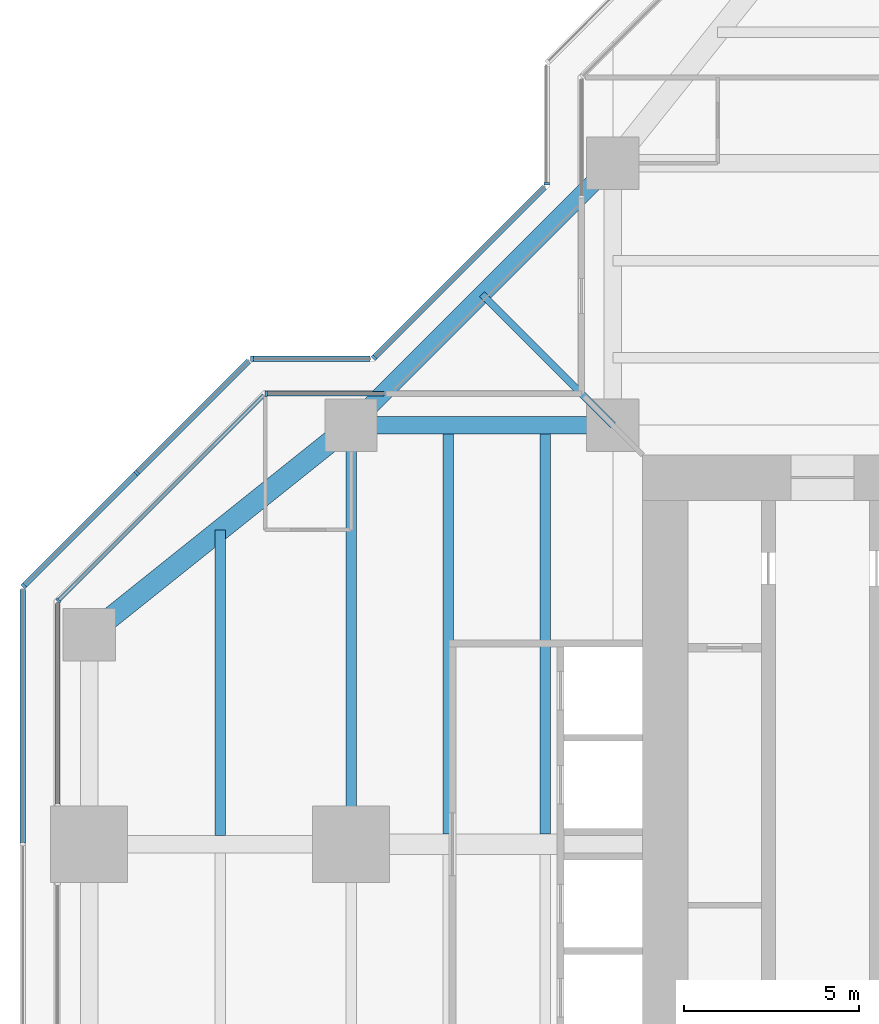
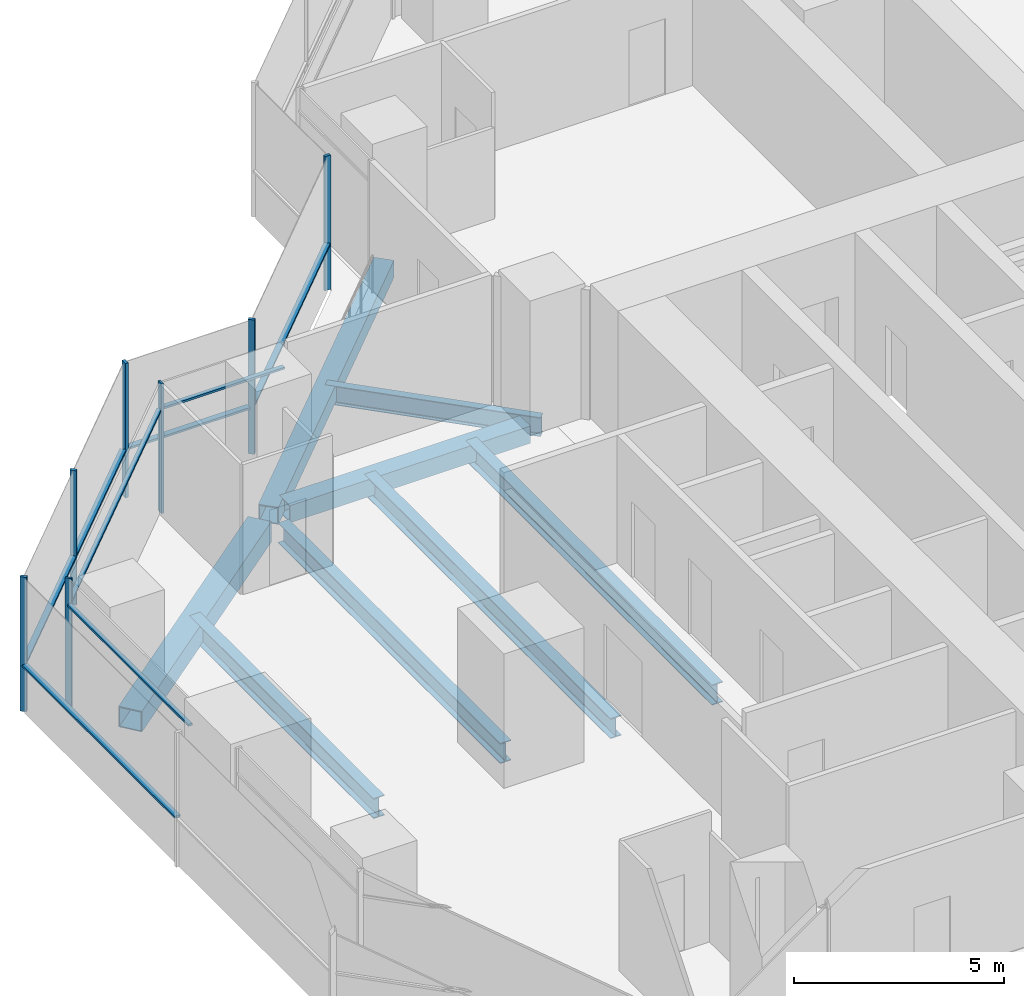
# One storey, part 6 of 17: 15 members, 8 beams, 8 elements without a shape of their own.
"""IFC4 building model written with IfcOpenShell, lengths in metres."""

from ifc_helpers import new_model, si_unit, direction, frame, origin, origin_2d, place, context, subcontext, project, spatial, rectangle, hollow_rectangle, i_section, extrude, material, material_profile, profile_set, type_object, element, aggregate, save


model = new_model("IFC4")

# Units and contexts
model_context = context("Model", 3, precision=1e-05, world=origin(), true_north=direction((0.0, 1.0)))
body_context = subcontext(model_context, "Body", "Model", "MODEL_VIEW")
ifc_project = project(units=[si_unit("LENGTHUNIT", "METRE"), si_unit("AREAUNIT", "SQUARE_METRE"), si_unit("VOLUMEUNIT", "CUBIC_METRE"), si_unit("PLANEANGLEUNIT", "RADIAN"), si_unit("MASSUNIT", "GRAM", prefix="KILO")], contexts=[model_context])

# Site, building, storey
site_placement = place(None, origin())
site = spatial("IfcSite", under=ifc_project, at=site_placement, CompositionType="ELEMENT")
building_placement = place(site_placement, origin())
building = spatial("IfcBuilding", under=site, at=building_placement, Name="Mizan Broadcast Tower", CompositionType="ELEMENT")
storey_placement = place(building_placement, frame((0.0, 0.0, 263.39990234375)))
storey = spatial("IfcBuildingStorey", under=building, at=storey_placement, Name="L62", CompositionType="ELEMENT", Elevation=263.39990234375)

# Beams
ifc_material_1 = material(Name="Steel S355", Category="steel")
ifc_material_profile_1 = material_profile(ifc_material_1, hollow_rectangle(XDim=0.5, YDim=0.5, WallThickness=0.030029296875, at=origin_2d()), Name="BOX 500x500x30")
ifc_profile_set_1 = profile_set([ifc_material_profile_1], Name="Steel S355")
beam_type_1 = type_object("IfcBeamType", Name="EDGE BEAM BOX 500x500x30", PredefinedType="SPANDREL", material=ifc_profile_set_1)
beam_1_placement = place(storey_placement, frame((-12.449951171875, 12.0, -0.3798828125), z_axis=(-1.0, 0.0, 0.0), x_axis=(0.0, -1.0, 0.0)))
element("IfcBeam", 1, at=beam_1_placement, inside=storey, type_object=beam_type_1, Name="Edge beam BOX 500x500x30 L62 west arm", PredefinedType="SPANDREL", context=body_context, shape_type="SweptSolid", body=[
    extrude(hollow_rectangle(XDim=0.5, YDim=0.5, WallThickness=0.030029296875, at=origin_2d()), origin(), (0.0, 0.0, 1.0), 6.60009765625),
])
beam_2_placement = place(storey_placement, frame((-12.0, 19.5, -0.3798828125), z_axis=(-0.707106781187, -0.707106781187, 0.0), x_axis=(0.707106781187, -0.707106781187, 0.0)))
element("IfcBeam", 2, at=beam_2_placement, inside=storey, type_object=beam_type_1, Name="Winter garden edge beam L62 N", PredefinedType="SPANDREL", context=body_context, shape_type="SweptSolid", body=[
    extrude(hollow_rectangle(XDim=0.5, YDim=0.5, WallThickness=0.030029296875, at=origin_2d()), origin(), (0.0, 0.0, 1.0), 10.606689453125),
])
ifc_material_2 = material(Name="Steel S355", Category="steel")
ifc_material_profile_2 = material_profile(ifc_material_2, hollow_rectangle(XDim=0.60009765625, YDim=0.60009765625, WallThickness=0.030029296875, at=origin_2d()), Name="BOX 600x600x30")
ifc_profile_set_2 = profile_set([ifc_material_profile_2], Name="Steel S355")
beam_type_2 = type_object("IfcBeamType", Name="EDGE BEAM BOX 600x600x30", PredefinedType="SPANDREL", material=ifc_profile_set_2)
beam_3_placement = place(storey_placement, frame((-19.949951171875, 11.639892578125, -0.429931640625), z_axis=(-0.780885717636, -0.624673911726, 0.0), x_axis=(0.624673911726, -0.780885717636, 0.0)))
element("IfcBeam", 3, at=beam_3_placement, inside=storey, type_object=beam_type_2, Name="Edge beam BOX 600x600x30 L62 west arm", PredefinedType="SPANDREL", context=body_context, shape_type="SweptSolid", body=[
    extrude(hollow_rectangle(XDim=0.60009765625, YDim=0.60009765625, WallThickness=0.030029296875, at=origin_2d()), origin(), (0.0, 0.0, 1.0), 8.4521484375),
])
ifc_material_3 = material(Name="Steel S355", Category="steel")
ifc_material_profile_3 = material_profile(ifc_material_3, i_section(OverallWidth=0.300048828125, OverallDepth=0.590087890625, WebThickness=0.012939453125, FlangeThickness=0.02490234375, FilletRadius=0.027099609375, at=origin_2d()), Name="HEA 600")
ifc_profile_set_3 = profile_set([ifc_material_profile_3], Name="Steel S355")
beam_type_3 = type_object("IfcBeamType", Name="GIRDER HEA 600", PredefinedType="BEAM", material=ifc_profile_set_3)
beam_4_placement = place(storey_placement, frame((-19.5, 11.280029296875, -0.4248046875), z_axis=(0.0, -1.0, 0.0), x_axis=(1.0, 0.0, 0.0)))
element("IfcBeam", 4, at=beam_4_placement, inside=storey, type_object=beam_type_3, Name="Girder HEA 600 L62 west arm", PredefinedType="BEAM", context=body_context, shape_type="SweptSolid", body=[
    extrude(i_section(OverallWidth=0.300048828125, OverallDepth=0.590087890625, WebThickness=0.012939453125, FlangeThickness=0.02490234375, FilletRadius=0.027099609375, at=origin_2d()), origin(), (0.0, 0.0, 1.0), 10.56005859375),
])

# Curtain wall, member
ifc_material_4 = material(Name="Aluminium framed glazing", Category="aluminium")
curtain_wall_type_1 = type_object("IfcCurtainWallType", Name="INNER SKIN HIGH ZONE", PredefinedType="USERDEFINED", material=ifc_material_4)
curtain_wall_1_placement = place(storey_placement, origin())
curtain_wall_1 = element("IfcCurtainWall", 5, at=curtain_wall_1_placement, inside=storey, type_object=curtain_wall_type_1, Name="Inner skin high zone L62 W side", ObjectType="INNER SKIN HIGH ZONE", PredefinedType="USERDEFINED")
ifc_material_5 = material(Name="Aluminium, pale anodised", Category="aluminium")
ifc_material_profile_4 = material_profile(ifc_material_5, rectangle(XDim=0.159912109375, YDim=0.06005859375, at=origin_2d()), Name="MULLION 160x60")
ifc_profile_set_4 = profile_set([ifc_material_profile_4], Name="Aluminium, pale anodised")
member_type_1 = type_object("IfcMemberType", Name="INNER SKIN MULLION 60x160", PredefinedType="MULLION", material=ifc_profile_set_4)
member_1_placement = place(storey_placement, frame((-21.928466796875, 12.89990234375, 0.0), z_axis=(0.0, 0.0, 1.0), x_axis=(0.0, -1.0, 0.0)))
member_1 = element("IfcMember", 6, at=member_1_placement, type_object=member_type_1, Name="Inner skin high zone L62 W side mullion 2", PredefinedType="MULLION", context=body_context, shape_type="SweptSolid", body=[
    extrude(rectangle(XDim=0.159912109375, YDim=0.06005859375, at=origin_2d()), origin(), (0.0, 0.0, 1.0), 3.77001953125),
])

curtain_wall_2_placement = place(storey_placement, origin())
curtain_wall_2 = element("IfcCurtainWall", 7, at=curtain_wall_2_placement, inside=storey, type_object=curtain_wall_type_1, Name="Inner skin high zone L62 W chamfer", ObjectType="INNER SKIN HIGH ZONE", PredefinedType="USERDEFINED")
member_2_placement = place(storey_placement, frame((-27.87890625, 6.979736328125, 0.0), z_axis=(0.0, 0.0, 1.0), x_axis=(0.707106781187, -0.707106781187, 0.0)))
member_2 = element("IfcMember", 8, at=member_2_placement, type_object=member_type_1, Name="Inner skin high zone L62 W chamfer mullion 2", PredefinedType="MULLION", context=body_context, shape_type="SweptSolid", body=[
    extrude(rectangle(XDim=0.159912109375, YDim=0.06005859375, at=origin_2d()), origin(), (0.0, 0.0, 1.0), 3.77001953125),
])

# Member
ifc_material_6 = material(Name="Aluminium, pale anodised", Category="aluminium")
ifc_material_profile_5 = material_profile(ifc_material_6, rectangle(XDim=0.1201171875, YDim=0.06005859375, at=origin_2d()), Name="TRANSOM 120x60")
ifc_profile_set_5 = profile_set([ifc_material_profile_5], Name="Aluminium, pale anodised")
member_type_2 = type_object("IfcMemberType", Name="INNER SKIN TRANSOM 60x120", PredefinedType="USERDEFINED", material=ifc_profile_set_5)
member_3_placement = place(storey_placement, frame((-18.56005859375, 12.89990234375, 3.030029296875), z_axis=(-1.0, 0.0, 0.0), x_axis=(0.0, -1.0, 0.0)))
member_3 = element("IfcMember", 9, at=member_3_placement, type_object=member_type_2, Name="Inner skin high zone L62 W side transom 1.1", ObjectType="TRANSOM", PredefinedType="USERDEFINED", context=body_context, shape_type="SweptSolid", body=[
    extrude(rectangle(XDim=0.1201171875, YDim=0.06005859375, at=origin_2d()), origin(), (0.0, 0.0, 1.0), 3.338623046875),
])

aggregate(curtain_wall_1, [member_1, member_3])

member_4_placement = place(storey_placement, frame((-22.0009765625, 12.857666015625, 3.030029296875), z_axis=(-0.707106781187, -0.707106781187, 0.0), x_axis=(0.707106781187, -0.707106781187, 0.0)))
member_4 = element("IfcMember", 10, at=member_4_placement, type_object=member_type_2, Name="Inner skin high zone L62 W chamfer transom 1.1", ObjectType="TRANSOM", PredefinedType="USERDEFINED", context=body_context, shape_type="SweptSolid", body=[
    extrude(rectangle(XDim=0.1201171875, YDim=0.06005859375, at=origin_2d()), origin(), (0.0, 0.0, 1.0), 8.28271484375),
])

aggregate(curtain_wall_2, [member_2, member_4])

# Curtain wall, member
curtain_wall_3_placement = place(storey_placement, origin())
curtain_wall_3 = element("IfcCurtainWall", 11, at=curtain_wall_3_placement, inside=storey, type_object=curtain_wall_type_1, Name="Inner skin high zone L62 W end", ObjectType="INNER SKIN HIGH ZONE", PredefinedType="USERDEFINED")
member_5_placement = place(storey_placement, frame((-27.89990234375, 6.898681640625, 3.030029296875), z_axis=(0.0, -1.0, 0.0), x_axis=(1.0, 0.0, 0.0)))
member_5 = element("IfcMember", 12, at=member_5_placement, type_object=member_type_2, Name="Inner skin high zone L62 W end transom 1.1", ObjectType="TRANSOM", PredefinedType="USERDEFINED", context=body_context, shape_type="SweptSolid", body=[
    extrude(rectangle(XDim=0.1201171875, YDim=0.06005859375, at=origin_2d()), origin(), (0.0, 0.0, 1.0), 5.73876953125),
])
aggregate(curtain_wall_3, [member_5])

ifc_material_7 = material(Name="Aluminium framed glazing", Category="aluminium")
curtain_wall_type_2 = type_object("IfcCurtainWallType", Name="OUTER SKIN", PredefinedType="USERDEFINED", material=ifc_material_7)
curtain_wall_4_placement = place(storey_placement, origin())
curtain_wall_4 = element("IfcCurtainWall", 13, at=curtain_wall_4_placement, inside=storey, type_object=curtain_wall_type_2, Name="Outer skin L62 N side", ObjectType="OUTER SKIN", PredefinedType="USERDEFINED")
ifc_material_8 = material(Name="Aluminium, pale anodised", Category="aluminium")
ifc_material_profile_6 = material_profile(ifc_material_8, rectangle(XDim=0.159912109375, YDim=0.080078125, at=origin_2d()), Name="MULLION 160x80")
ifc_profile_set_6 = profile_set([ifc_material_profile_6], Name="Aluminium, pale anodised")
member_type_3 = type_object("IfcMemberType", Name="OUTER SKIN MULLION 80x160", PredefinedType="MULLION", material=ifc_profile_set_6)
member_6_placement = place(storey_placement, frame((-13.89990234375, 18.912841796875, 0.0), z_axis=(0.0, 0.0, 1.0), x_axis=(1.0, 0.0, 0.0)))
member_6 = element("IfcMember", 14, at=member_6_placement, type_object=member_type_3, Name="Outer skin L62 N side mullion 2", PredefinedType="MULLION", context=body_context, shape_type="SweptSolid", body=[
    extrude(rectangle(XDim=0.159912109375, YDim=0.080078125, at=origin_2d()), origin(), (0.0, 0.0, 1.0), 3.900146484375),
])
aggregate(curtain_wall_4, [member_6])

curtain_wall_5_placement = place(storey_placement, origin())
curtain_wall_5 = element("IfcCurtainWall", 15, at=curtain_wall_5_placement, inside=storey, type_object=curtain_wall_type_2, Name="Outer skin L62 W chamfer", ObjectType="OUTER SKIN", PredefinedType="USERDEFINED")
member_7_placement = place(storey_placement, frame((-18.844482421875, 13.92822265625, 0.0), z_axis=(0.0, 0.0, 1.0), x_axis=(0.707106781187, -0.707106781187, 0.0)))
member_7 = element("IfcMember", 16, at=member_7_placement, type_object=member_type_3, Name="Outer skin L62 W chamfer mullion 2", PredefinedType="MULLION", context=body_context, shape_type="SweptSolid", body=[
    extrude(rectangle(XDim=0.159912109375, YDim=0.080078125, at=origin_2d()), origin(), (0.0, 0.0, 1.0), 3.900146484375),
])

curtain_wall_6_placement = place(storey_placement, origin())
curtain_wall_6 = element("IfcCurtainWall", 17, at=curtain_wall_6_placement, inside=storey, type_object=curtain_wall_type_2, Name="Outer skin L62 W side", ObjectType="OUTER SKIN", PredefinedType="USERDEFINED")
member_8_placement = place(storey_placement, frame((-22.332763671875, 13.89990234375, 0.0), z_axis=(0.0, 0.0, 1.0), x_axis=(0.0, -1.0, 0.0)))
member_8 = element("IfcMember", 18, at=member_8_placement, type_object=member_type_3, Name="Outer skin L62 W side mullion 2", PredefinedType="MULLION", context=body_context, shape_type="SweptSolid", body=[
    extrude(rectangle(XDim=0.159912109375, YDim=0.080078125, at=origin_2d()), origin(), (0.0, 0.0, 1.0), 3.900146484375),
])

# Curtain wall, members
curtain_wall_7_placement = place(storey_placement, origin())
curtain_wall_7 = element("IfcCurtainWall", 19, at=curtain_wall_7_placement, inside=storey, type_object=curtain_wall_type_2, Name="Outer skin L62 W chamfer", ObjectType="OUTER SKIN", PredefinedType="USERDEFINED")
member_9_placement = place(storey_placement, frame((-25.636474609375, 10.636474609375, 0.0), z_axis=(0.0, 0.0, 1.0), x_axis=(0.707106781187, -0.707106781187, 0.0)))
member_9 = element("IfcMember", 20, at=member_9_placement, type_object=member_type_3, Name="Outer skin L62 W chamfer mullion 2", PredefinedType="MULLION", context=body_context, shape_type="SweptSolid", body=[
    extrude(rectangle(XDim=0.159912109375, YDim=0.080078125, at=origin_2d()), origin(), (0.0, 0.0, 1.0), 3.900146484375),
])
member_10_placement = place(storey_placement, frame((-28.871826171875, 7.401123046875, 0.0), z_axis=(0.0, 0.0, 1.0), x_axis=(0.707106781187, -0.707106781187, 0.0)))
member_10 = element("IfcMember", 21, at=member_10_placement, type_object=member_type_3, Name="Outer skin L62 W chamfer mullion 3", PredefinedType="MULLION", context=body_context, shape_type="SweptSolid", body=[
    extrude(rectangle(XDim=0.159912109375, YDim=0.080078125, at=origin_2d()), origin(), (0.0, 0.0, 1.0), 3.900146484375),
])

# Member
ifc_material_9 = material(Name="Aluminium, pale anodised", Category="aluminium")
ifc_material_profile_7 = material_profile(ifc_material_9, rectangle(XDim=0.159912109375, YDim=0.06005859375, at=origin_2d()), Name="TRANSOM 160x60")
ifc_profile_set_7 = profile_set([ifc_material_profile_7], Name="Aluminium, pale anodised")
member_type_4 = type_object("IfcMemberType", Name="OUTER SKIN TRANSOM 60x160", PredefinedType="USERDEFINED", material=ifc_profile_set_7)
member_11_placement = place(storey_placement, frame((-13.95654296875, 18.816162109375, 1.400146484375), z_axis=(-0.707106781187, -0.707106781187, 0.0), x_axis=(0.707106781187, -0.707106781187, 0.0)))
member_11 = element("IfcMember", 22, at=member_11_placement, type_object=member_type_4, Name="Outer skin L62 W chamfer transom 1.1", ObjectType="TRANSOM", PredefinedType="USERDEFINED", context=body_context, shape_type="SweptSolid", body=[
    extrude(rectangle(XDim=0.159912109375, YDim=0.06005859375, at=origin_2d()), origin(), (0.0, 0.0, 1.0), 6.87255859375),
])

aggregate(curtain_wall_5, [member_7, member_11])

member_12_placement = place(storey_placement, frame((-18.952880859375, 13.89990234375, 1.400146484375), z_axis=(-1.0, 0.0, 0.0), x_axis=(0.0, -1.0, 0.0)))
member_12 = element("IfcMember", 23, at=member_12_placement, type_object=member_type_4, Name="Outer skin L62 W side transom 1.1", ObjectType="TRANSOM", PredefinedType="USERDEFINED", context=body_context, shape_type="SweptSolid", body=[
    extrude(rectangle(XDim=0.159912109375, YDim=0.06005859375, at=origin_2d()), origin(), (0.0, 0.0, 1.0), 3.33984375),
])

aggregate(curtain_wall_6, [member_8, member_12])

member_13_placement = place(storey_placement, frame((-22.429443359375, 13.843505859375, 1.400146484375), z_axis=(-0.707106781187, -0.707106781187, 0.0), x_axis=(0.707106781187, -0.707106781187, 0.0)))
member_13 = element("IfcMember", 24, at=member_13_placement, type_object=member_type_4, Name="Outer skin L62 W chamfer transom 1.1", ObjectType="TRANSOM", PredefinedType="USERDEFINED", context=body_context, shape_type="SweptSolid", body=[
    extrude(rectangle(XDim=0.159912109375, YDim=0.06005859375, at=origin_2d()), origin(), (0.0, 0.0, 1.0), 4.495361328125),
])

member_14_placement = place(storey_placement, frame((-25.664794921875, 10.608154296875, 1.400146484375), z_axis=(-0.707106781187, -0.707106781187, 0.0), x_axis=(0.707106781187, -0.707106781187, 0.0)))
member_14 = element("IfcMember", 25, at=member_14_placement, type_object=member_type_4, Name="Outer skin L62 W chamfer transom 2.1", ObjectType="TRANSOM", PredefinedType="USERDEFINED", context=body_context, shape_type="SweptSolid", body=[
    extrude(rectangle(XDim=0.159912109375, YDim=0.06005859375, at=origin_2d()), origin(), (0.0, 0.0, 1.0), 4.495361328125),
])

aggregate(curtain_wall_7, [member_9, member_10, member_13, member_14])

# Curtain wall, member
curtain_wall_8_placement = place(storey_placement, origin())
curtain_wall_8 = element("IfcCurtainWall", 26, at=curtain_wall_8_placement, inside=storey, type_object=curtain_wall_type_2, Name="Outer skin L62 W end", ObjectType="OUTER SKIN", PredefinedType="USERDEFINED")
member_15_placement = place(storey_placement, frame((-28.89990234375, 7.292724609375, 1.400146484375), z_axis=(0.0, -1.0, 0.0), x_axis=(1.0, 0.0, 0.0)))
member_15 = element("IfcMember", 27, at=member_15_placement, type_object=member_type_4, Name="Outer skin L62 W end transom 1.1", ObjectType="TRANSOM", PredefinedType="USERDEFINED", context=body_context, shape_type="SweptSolid", body=[
    extrude(rectangle(XDim=0.159912109375, YDim=0.06005859375, at=origin_2d()), origin(), (0.0, 0.0, 1.0), 7.252685546875),
])
aggregate(curtain_wall_8, [member_15])

# Beams
ifc_material_10 = material(Name="Steel S355", Category="steel")
ifc_material_profile_8 = material_profile(ifc_material_10, i_section(OverallWidth=0.300048828125, OverallDepth=0.590087890625, WebThickness=0.012939453125, FlangeThickness=0.02490234375, FilletRadius=0.027099609375, at=origin_2d()), Name="HEA 600")
ifc_profile_set_8 = profile_set([ifc_material_profile_8], Name="Steel S355")
beam_type_4 = type_object("IfcBeamType", Name="SECONDARY BEAM HEA 600", PredefinedType="JOIST", material=ifc_profile_set_8)
for number, where, z_axis, x_axis, name in (
    (28, (-13.933349609375, 12.0, -0.4248046875), (0.0, -1.0, 0.0), (1.0, 0.0, 0.0), "Secondary beam HEA 600 L62 west arm"),
    (29, (-16.716552734375, 12.0, -0.4248046875), (0.0, -1.0, 0.0), (1.0, 0.0, 0.0), "Secondary beam HEA 600 L62 west arm"),
):
    element("IfcBeam", number, at=place(storey_placement, frame(where, z_axis=z_axis, x_axis=x_axis)), inside=storey, type_object=beam_type_4, Name=name, PredefinedType="JOIST", context=body_context, shape_type="SweptSolid", body=[
        extrude(i_section(OverallWidth=0.300048828125, OverallDepth=0.590087890625, WebThickness=0.012939453125, FlangeThickness=0.02490234375, FilletRadius=0.027099609375, at=origin_2d()), origin(), (0.0, 0.0, 1.0), 11.699951171875),
    ])
beam_5_placement = place(storey_placement, frame((-23.25, 9.0, -0.4248046875), z_axis=(0.0, -1.0, 0.0), x_axis=(1.0, 0.0, 0.0)))
element("IfcBeam", 30, at=beam_5_placement, inside=storey, type_object=beam_type_4, Name="Secondary beam HEA 600 L62 west arm", PredefinedType="JOIST", context=body_context, shape_type="SweptSolid", body=[
    extrude(i_section(OverallWidth=0.300048828125, OverallDepth=0.590087890625, WebThickness=0.012939453125, FlangeThickness=0.02490234375, FilletRadius=0.027099609375, at=origin_2d()), origin(), (0.0, 0.0, 1.0), 8.75),
])
ifc_material_11 = material(Name="Steel S355", Category="steel")
ifc_material_profile_9 = material_profile(ifc_material_11, i_section(OverallWidth=0.2099609375, OverallDepth=0.550048828125, WebThickness=0.010986328125, FlangeThickness=0.01708984375, FilletRadius=0.02392578125, at=origin_2d()), Name="IPE 550")
ifc_profile_set_9 = profile_set([ifc_material_profile_9], Name="Steel S355")
beam_type_5 = type_object("IfcBeamType", Name="SECONDARY BEAM IPE 550", PredefinedType="JOIST", material=ifc_profile_set_9)
beam_6_placement = place(storey_placement, frame((-12.0, 12.0, -0.40478515625), z_axis=(-0.707106781187, 0.707106781187, 0.0), x_axis=(-0.707106781187, -0.707106781187, 0.0)))
element("IfcBeam", 31, at=beam_6_placement, inside=storey, type_object=beam_type_5, Name="Winter garden beam L62 N", PredefinedType="JOIST", context=body_context, shape_type="SweptSolid", body=[
    extrude(i_section(OverallWidth=0.2099609375, OverallDepth=0.550048828125, WebThickness=0.010986328125, FlangeThickness=0.01708984375, FilletRadius=0.02392578125, at=origin_2d()), origin(), (0.0, 0.0, 1.0), 5.30322265625),
])

save(model, "model.ifc")
